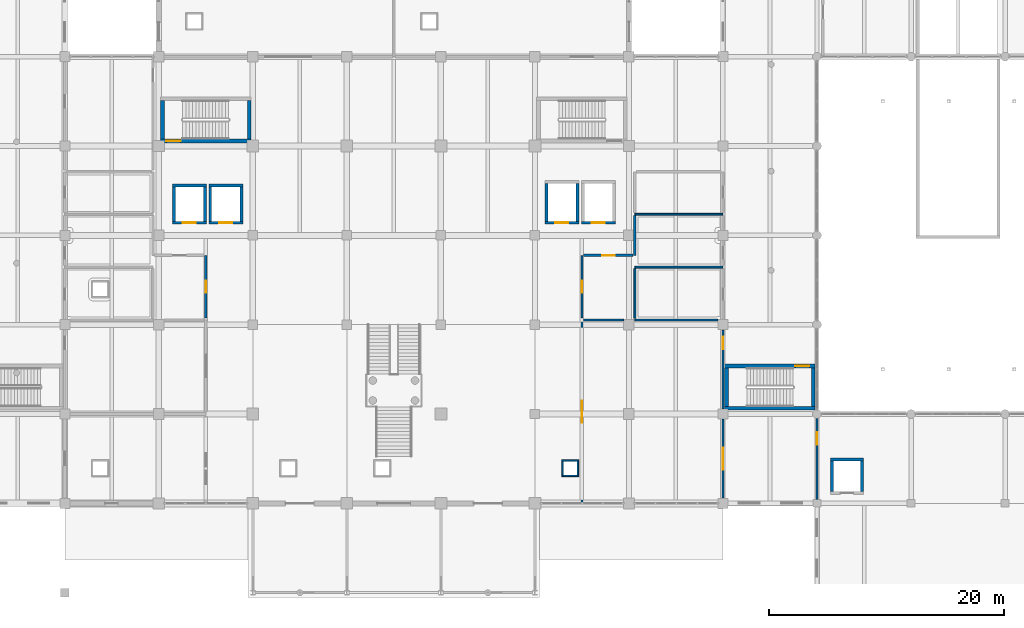
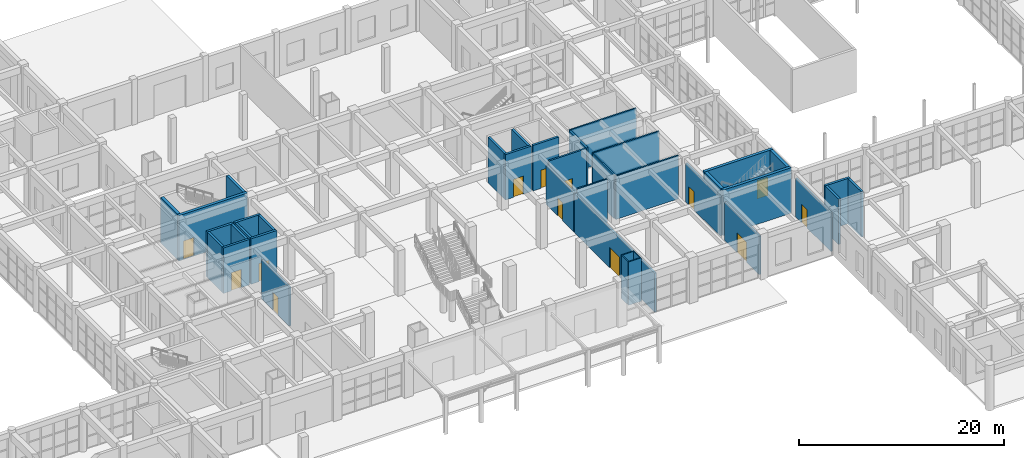
# One storey, part 73 of 95: 39 walls, 13 doors, 13 openings.
"""IFC4 building model written with IfcOpenShell, lengths in metres."""

from ifc_helpers import new_model, si_unit, direction, frame, frame_2d, origin, place, context, subcontext, project, spatial, rectangle, extrude, material, layer, layer_set, type_object, element, fill, save


model = new_model("IFC4")

# Units and contexts
model_context = context("Model", 3, precision=1e-05, world=origin(), true_north=direction((0.0, 1.0)))
body_context = subcontext(model_context, "Body", "Model", "MODEL_VIEW")
ifc_project = project(units=[si_unit("LENGTHUNIT", "METRE"), si_unit("AREAUNIT", "SQUARE_METRE"), si_unit("VOLUMEUNIT", "CUBIC_METRE"), si_unit("PLANEANGLEUNIT", "RADIAN"), si_unit("MASSUNIT", "GRAM", prefix="KILO")], contexts=[model_context])

# Site, building, storey
site_placement = place(None, origin())
site = spatial("IfcSite", under=ifc_project, at=site_placement, CompositionType="ELEMENT")
building_placement = place(site_placement, origin())
building = spatial("IfcBuilding", under=site, at=building_placement, Name="Zantavel Square City Hall", CompositionType="ELEMENT")
storey_placement = place(building_placement, origin())
storey = spatial("IfcBuildingStorey", under=building, at=storey_placement, Name="L01", CompositionType="ELEMENT", Elevation=0.0)

# Walls
ifc_material_1 = material(Name="Concrete C40/50", Category="concrete")
ifc_layer_1 = layer(ifc_material_1, 0.320068359375, Name="Concrete C40/50")
ifc_layer_set_1 = layer_set([ifc_layer_1], Name="Concrete C40/50")
wall_type_1 = type_object("IfcWallType", Name="Core Shear Wall RC 320mm C40/50", PredefinedType="SHEAR", material=ifc_layer_set_1)
wall_1_placement = place(storey_placement, frame((119.85009765625, 38.489990234375, 0.0), z_axis=(0.0, 0.0, 1.0), x_axis=(-1.0, 0.0, 0.0)))
element("IfcWall", 1, at=wall_1_placement, inside=storey, type_object=wall_type_1, Name="L01 Exit Stair 4 East Annex Core Shear Wall South", PredefinedType="SHEAR", context=body_context, shape_type="SweptSolid", body=[
    extrude(rectangle(XDim=7.7001953125, YDim=0.320068359375, at=frame_2d((3.85009765625, 0.0))), origin(), (0.0, 0.0, 1.0), 5.39990234375),
])
wall_2_placement = place(storey_placement, frame((112.31005859375, 38.64990234375, 0.0), z_axis=(0.0, 0.0, 1.0), x_axis=(0.0, 1.0, 0.0)))
element("IfcWall", 2, at=wall_2_placement, inside=storey, type_object=wall_type_1, Name="L01 Exit Stair 4 East Annex Core Shear Wall West", PredefinedType="SHEAR", context=body_context, shape_type="SweptSolid", body=[
    extrude(rectangle(XDim=3.27001953125, YDim=0.320068359375, at=frame_2d((1.635009765625, 0.0))), origin(), (0.0, 0.0, 1.0), 5.39990234375),
])

# Wall, opening, door
wall_3_placement = place(storey_placement, frame((112.14990234375, 42.080078125, 0.0), z_axis=(0.0, 0.0, 1.0), x_axis=(1.0, 0.0, 0.0)))
wall_3 = element("IfcWall", 3, at=wall_3_placement, inside=storey, type_object=wall_type_1, Name="L01 Exit Stair 4 East Annex Core Shear Wall North", PredefinedType="SHEAR", context=body_context, shape_type="SweptSolid", body=[
    extrude(rectangle(XDim=7.7001953125, YDim=0.320068359375, at=frame_2d((3.85009765625, 0.0))), origin(), (0.0, 0.0, 1.0), 5.39990234375),
])
opening_1_placement = place(wall_3_placement, frame((6.0, 0.0, 0.0)))
opening_1 = element("IfcOpeningElement", 4, at=opening_1_placement, cuts=wall_3, Name="Opening SD-017", PredefinedType="OPENING", context=body_context, shape_type="SweptSolid", body=[
    extrude(rectangle(XDim=1.199951171875, YDim=2.199951171875, at=frame_2d((0.60009765625, 1.10009765625))), frame((0.0, 0.169921875, 0.0), z_axis=(0.0, -1.0, 0.0), x_axis=(1.0, 0.0, 0.0)), (0.0, 0.0, 1.0), 0.340087890625),
])
ifc_material_2 = material(Name="Steel ASTM A500 Grade B", Category="steel")
door_type_1 = type_object("IfcDoorType", Name="Enclosed Exit Stairwell Fire Door 1200x2200 FD90S", OperationType="NOTDEFINED", PredefinedType="DOOR", material=ifc_material_2)
door_1_placement = place(opening_1_placement, origin())
door_1 = element("IfcDoor", 5, at=door_1_placement, inside=storey, type_object=door_type_1, Name="L01 Exit Stair 4 East Annex Core Fire Door", OperationType="SINGLE_SWING_LEFT", OverallHeight=2.199951171875, OverallWidth=1.199951171875, PredefinedType="DOOR", context=body_context, shape_type="SweptSolid", body=[
    extrude(rectangle(XDim=1.199951171875, YDim=2.199951171875, at=frame_2d((0.60009765625, 1.10009765625))), frame((0.0, 0.02490234375, 0.0), z_axis=(0.0, -1.0, 0.0), x_axis=(1.0, 0.0, 0.0)), (0.0, 0.0, 1.0), 0.050048828125),
])
fill(opening_1, door_1)

# Wall
wall_4_placement = place(storey_placement, frame((119.68994140625, 41.919921875, 0.0), z_axis=(0.0, 0.0, 1.0), x_axis=(0.0, -1.0, 0.0)))
element("IfcWall", 6, at=wall_4_placement, inside=storey, type_object=wall_type_1, Name="L01 Exit Stair 4 East Annex Core Shear Wall East", PredefinedType="SHEAR", context=body_context, shape_type="SweptSolid", body=[
    extrude(rectangle(XDim=3.27001953125, YDim=0.320068359375, at=frame_2d((1.635009765625, 0.0))), origin(), (0.0, 0.0, 1.0), 5.39990234375),
])

# Wall, opening, door
wall_5_placement = place(storey_placement, frame((71.85009765625, 61.239990234375, 0.0), z_axis=(0.0, 0.0, 1.0), x_axis=(-1.0, 0.0, 0.0)))
wall_5 = element("IfcWall", 7, at=wall_5_placement, inside=storey, type_object=wall_type_1, Name="L01 Exit Stair 5 Central West Core Shear Wall South", PredefinedType="SHEAR", context=body_context, shape_type="SweptSolid", body=[
    extrude(rectangle(XDim=7.7001953125, YDim=0.320068359375, at=frame_2d((3.85009765625, 0.0))), origin(), (0.0, 0.0, 1.0), 5.39990234375),
])
opening_2_placement = place(wall_5_placement, frame((6.0, 0.0, 0.0)))
opening_2 = element("IfcOpeningElement", 8, at=opening_2_placement, cuts=wall_5, Name="Opening SD-020", PredefinedType="OPENING", context=body_context, shape_type="SweptSolid", body=[
    extrude(rectangle(XDim=1.199951171875, YDim=2.199951171875, at=frame_2d((0.60009765625, 1.10009765625))), frame((0.0, 0.169921875, 0.0), z_axis=(0.0, -1.0, 0.0), x_axis=(1.0, 0.0, 0.0)), (0.0, 0.0, 1.0), 0.340087890625),
])
door_2_placement = place(opening_2_placement, origin())
door_2 = element("IfcDoor", 9, at=door_2_placement, inside=storey, type_object=door_type_1, Name="L01 Exit Stair 5 Central West Core Fire Door", OperationType="SINGLE_SWING_RIGHT", OverallHeight=2.199951171875, OverallWidth=1.199951171875, PredefinedType="DOOR", context=body_context, shape_type="SweptSolid", body=[
    extrude(rectangle(XDim=1.199951171875, YDim=2.199951171875, at=frame_2d((0.60009765625, 1.10009765625))), frame((0.0, 0.02490234375, 0.0), z_axis=(0.0, -1.0, 0.0), x_axis=(1.0, 0.0, 0.0)), (0.0, 0.0, 1.0), 0.050048828125),
])
fill(opening_2, door_2)

# Walls
for number, where, z_axis, x_axis, name in (
    (10, (64.31005859375, 61.39990234375, 0.0), (0.0, 0.0, 1.0), (0.0, 1.0, 0.0), "L01 Exit Stair 5 Central West Core Shear Wall West"),
    (11, (71.68994140625, 64.669921875, 0.0), (0.0, 0.0, 1.0), (0.0, -1.0, 0.0), "L01 Exit Stair 5 Central West Core Shear Wall East"),
):
    element("IfcWall", number, at=place(storey_placement, frame(where, z_axis=z_axis, x_axis=x_axis)), inside=storey, type_object=wall_type_1, Name=name, PredefinedType="SHEAR", context=body_context, shape_type="SweptSolid", body=[
        extrude(rectangle(XDim=3.27001953125, YDim=0.320068359375, at=frame_2d((1.635009765625, 0.0))), origin(), (0.0, 0.0, 1.0), 5.39990234375),
    ])
ifc_material_3 = material(Name="Gypsum acoustic stud assembly", Category="masonry")
ifc_layer_2 = layer(ifc_material_3, 0.14990234375, Name="Gypsum acoustic stud assembly")
ifc_layer_set_2 = layer_set([ifc_layer_2], Name="Gypsum acoustic stud assembly")
wall_type_2 = type_object("IfcWallType", Name="Department Office Partition 150mm", PredefinedType="PARTITIONING", material=ifc_layer_set_2)
wall_6_placement = place(storey_placement, frame((100.14990234375, 46.0, 0.0), z_axis=(0.0, 0.0, 1.0), x_axis=(1.0, 0.0, 0.0)))
element("IfcWall", 12, at=wall_6_placement, inside=storey, type_object=wall_type_2, Name="L01 Interior Wall IW-L01-0129", PredefinedType="PARTITIONING", context=body_context, shape_type="SweptSolid", body=[
    extrude(rectangle(XDim=3.39013671875, YDim=0.14990234375, at=frame_2d((1.695068359375, 0.0))), origin(), (0.0, 0.0, 1.0), 5.159912109375),
])
ifc_material_4 = material(Name="Cantera volcanic tuff stone", Category="masonry")
ifc_layer_3 = layer(ifc_material_4, 0.199951171875, Name="Cantera volcanic tuff stone")
ifc_layer_set_3 = layer_set([ifc_layer_3], Name="Cantera volcanic tuff stone")
wall_type_3 = type_object("IfcWallType", Name="Exit Corridor Rated Wall 200mm", PredefinedType="STANDARD", material=ifc_layer_set_3)
wall_7_placement = place(storey_placement, frame((104.5, 51.5, 0.0), z_axis=(0.0, 0.0, 1.0), x_axis=(0.0, 1.0, 0.0)))
element("IfcWall", 13, at=wall_7_placement, inside=storey, type_object=wall_type_3, Name="L01 Interior Wall IW-L01-0066", PredefinedType="STANDARD", context=body_context, shape_type="SweptSolid", body=[
    extrude(rectangle(XDim=3.3701171875, YDim=0.199951171875, at=frame_2d((1.68505859375, 0.0))), origin(), (0.0, 0.0, 1.0), 5.159912109375),
])

# Wall, opening, door
wall_8_placement = place(storey_placement, frame((112.0, 45.1650390625, 0.0), z_axis=(0.0, 0.0, 1.0), x_axis=(0.0, -1.0, 0.0)))
wall_8 = element("IfcWall", 14, at=wall_8_placement, inside=storey, type_object=wall_type_3, Name="L01 Interior Wall IW-L01-0126", PredefinedType="STANDARD", context=body_context, shape_type="SweptSolid", body=[
    extrude(rectangle(XDim=6.72998046875, YDim=0.199951171875, at=frame_2d((3.364990234375, 0.0))), origin(), (0.0, 0.0, 1.0), 4.580078125),
])
opening_3_placement = place(wall_8_placement, frame((0.590087890625, 0.0, 0.0)))
opening_3 = element("IfcOpeningElement", 15, at=opening_3_placement, cuts=wall_8, Name="Opening D-0049", PredefinedType="OPENING", context=body_context, shape_type="SweptSolid", body=[
    extrude(rectangle(XDim=1.050048828125, YDim=2.14990234375, at=frame_2d((0.52490234375, 1.074951171875))), frame((0.0, 0.10986328125, 0.0), z_axis=(0.0, -1.0, 0.0), x_axis=(1.0, 0.0, 0.0)), (0.0, 0.0, 1.0), 0.219970703125),
])
ifc_material_5 = material(Name="Solid oak hardwood", Category="wood")
door_type_2 = type_object("IfcDoorType", Name="Corridor Office Oak Fire Door 1050x2150 FD60S", OperationType="NOTDEFINED", PredefinedType="DOOR", material=ifc_material_5)
door_3_placement = place(opening_3_placement, origin())
door_3 = element("IfcDoor", 16, at=door_3_placement, inside=storey, type_object=door_type_2, Name="L01 Protocol Visitors Reception Hall Door", OperationType="SINGLE_SWING_LEFT", OverallHeight=2.14990234375, OverallWidth=1.050048828125, PredefinedType="DOOR", context=body_context, shape_type="SweptSolid", body=[
    extrude(rectangle(XDim=1.050048828125, YDim=2.14990234375, at=frame_2d((0.52490234375, 1.074951171875))), frame((0.0, 0.02490234375, 0.0), z_axis=(0.0, -1.0, 0.0), x_axis=(1.0, 0.0, 0.0)), (0.0, 0.0, 1.0), 0.050048828125),
])
fill(opening_3, door_3)

wall_9_placement = place(storey_placement, frame((112.0, 37.56494140625, 0.0), z_axis=(0.0, 0.0, 1.0), x_axis=(0.0, -1.0, 0.0)))
wall_9 = element("IfcWall", 17, at=wall_9_placement, inside=storey, type_object=wall_type_3, Name="L01 Interior Wall IW-L01-0127", PredefinedType="STANDARD", context=body_context, shape_type="SweptSolid", body=[
    extrude(rectangle(XDim=6.72998046875, YDim=0.199951171875, at=frame_2d((3.364990234375, 0.0))), origin(), (0.0, 0.0, 1.0), 4.580078125),
])
opening_4_placement = place(wall_9_placement, frame((2.4150390625, 0.0, 0.0)))
opening_4 = element("IfcOpeningElement", 18, at=opening_4_placement, cuts=wall_9, Name="Opening D-0070", PredefinedType="OPENING", context=body_context, shape_type="SweptSolid", body=[
    extrude(rectangle(XDim=1.89990234375, YDim=2.39990234375, at=frame_2d((0.949951171875, 1.199951171875))), frame((0.0, 0.10986328125, 0.0), z_axis=(0.0, -1.0, 0.0), x_axis=(1.0, 0.0, 0.0)), (0.0, 0.0, 1.0), 0.219970703125),
])
door_type_3 = type_object("IfcDoorType", Name="Civic Hall Oak Fire Double Door 1900x2400 FD60S", OperationType="NOTDEFINED", PredefinedType="DOOR", material=ifc_material_5)
door_4_placement = place(opening_4_placement, origin())
door_4 = element("IfcDoor", 19, at=door_4_placement, inside=storey, type_object=door_type_3, Name="L01 Protocol Visitors Reception Hall Door", OperationType="DOUBLE_DOOR_SINGLE_SWING", OverallHeight=2.39990234375, OverallWidth=1.89990234375, PredefinedType="DOOR", context=body_context, shape_type="SweptSolid", body=[
    extrude(rectangle(XDim=1.89990234375, YDim=2.39990234375, at=frame_2d((0.949951171875, 1.199951171875))), frame((0.0, 0.02490234375, 0.0), z_axis=(0.0, -1.0, 0.0), x_axis=(1.0, 0.0, 0.0)), (0.0, 0.0, 1.0), 0.050048828125),
])
fill(opening_4, door_4)

wall_10_placement = place(storey_placement, frame((100.0, 30.39990234375, 0.0), z_axis=(0.0, 0.0, 1.0), x_axis=(0.0, 1.0, 0.0)))
wall_10 = element("IfcWall", 20, at=wall_10_placement, inside=storey, type_object=wall_type_3, Name="L01 Interior Wall IW-L01-0128", PredefinedType="STANDARD", context=body_context, shape_type="SweptSolid", body=[
    extrude(rectangle(XDim=15.60009765625, YDim=0.199951171875, at=frame_2d((7.800048828125, 0.0))), origin(), (0.0, 0.0, 1.0), 4.659912109375),
])
opening_5_placement = place(wall_10_placement, frame((6.85009765625, 0.0, 0.0)))
opening_5 = element("IfcOpeningElement", 21, at=opening_5_placement, cuts=wall_10, Name="Opening D-0050", PredefinedType="OPENING", context=body_context, shape_type="SweptSolid", body=[
    extrude(rectangle(XDim=1.89990234375, YDim=2.39990234375, at=frame_2d((0.949951171875, 1.199951171875))), frame((0.0, 0.10986328125, 0.0), z_axis=(0.0, -1.0, 0.0), x_axis=(1.0, 0.0, 0.0)), (0.0, 0.0, 1.0), 0.219970703125),
])
door_5_placement = place(opening_5_placement, origin())
door_5 = element("IfcDoor", 22, at=door_5_placement, inside=storey, type_object=door_type_3, Name="L01 Protocol Visitors Reception Hall Door", OperationType="DOUBLE_DOOR_SINGLE_SWING", OverallHeight=2.39990234375, OverallWidth=1.89990234375, PredefinedType="DOOR", context=body_context, shape_type="SweptSolid", body=[
    extrude(rectangle(XDim=1.89990234375, YDim=2.39990234375, at=frame_2d((0.949951171875, 1.199951171875))), frame((0.0, 0.02490234375, 0.0), z_axis=(0.0, -1.0, 0.0), x_axis=(1.0, 0.0, 0.0)), (0.0, 0.0, 1.0), 0.050048828125),
])
fill(opening_5, door_5)

wall_11_placement = place(storey_placement, frame((120.0, 30.735107421875, 0.0), z_axis=(0.0, 0.0, 1.0), x_axis=(0.0, 1.0, 0.0)))
wall_11 = element("IfcWall", 23, at=wall_11_placement, inside=storey, type_object=wall_type_3, Name="L01 Interior Wall IW-L01-0132", PredefinedType="STANDARD", context=body_context, shape_type="SweptSolid", body=[
    extrude(rectangle(XDim=6.8798828125, YDim=0.199951171875, at=frame_2d((3.43994140625, 0.0))), origin(), (0.0, 0.0, 1.0), 4.580078125),
])
opening_6_placement = place(wall_11_placement, frame((4.6650390625, 0.0, 0.0)))
opening_6 = element("IfcOpeningElement", 24, at=opening_6_placement, cuts=wall_11, Name="Opening D-0051", PredefinedType="OPENING", context=body_context, shape_type="SweptSolid", body=[
    extrude(rectangle(XDim=1.050048828125, YDim=2.14990234375, at=frame_2d((0.52490234375, 1.074951171875))), frame((0.0, 0.10986328125, 0.0), z_axis=(0.0, -1.0, 0.0), x_axis=(1.0, 0.0, 0.0)), (0.0, 0.0, 1.0), 0.219970703125),
])
door_6_placement = place(opening_6_placement, origin())
door_6 = element("IfcDoor", 25, at=door_6_placement, inside=storey, type_object=door_type_2, Name="L01 Citizen Service Hall Door", OperationType="SINGLE_SWING_LEFT", OverallHeight=2.14990234375, OverallWidth=1.050048828125, PredefinedType="DOOR", context=body_context, shape_type="SweptSolid", body=[
    extrude(rectangle(XDim=1.050048828125, YDim=2.14990234375, at=frame_2d((0.52490234375, 1.074951171875))), frame((0.0, 0.02490234375, 0.0), z_axis=(0.0, -1.0, 0.0), x_axis=(1.0, 0.0, 0.0)), (0.0, 0.0, 1.0), 0.050048828125),
])
fill(opening_6, door_6)

wall_12_placement = place(storey_placement, frame((68.0, 46.14990234375, 0.0), z_axis=(0.0, 0.0, 1.0), x_axis=(0.0, 1.0, 0.0)))
wall_12 = element("IfcWall", 26, at=wall_12_placement, inside=storey, type_object=wall_type_3, Name="L01 Interior Wall IW-L01-0151", PredefinedType="STANDARD", context=body_context, shape_type="SweptSolid", body=[
    extrude(rectangle(XDim=5.35009765625, YDim=0.199951171875, at=frame_2d((2.675048828125, 0.0))), origin(), (0.0, 0.0, 1.0), 4.659912109375),
])
opening_7_placement = place(wall_12_placement, frame((2.14990234375, 0.0, 0.0)))
opening_7 = element("IfcOpeningElement", 27, at=opening_7_placement, cuts=wall_12, Name="Opening D-0058", PredefinedType="OPENING", context=body_context, shape_type="SweptSolid", body=[
    extrude(rectangle(XDim=1.050048828125, YDim=2.14990234375, at=frame_2d((0.52490234375, 1.074951171875))), frame((0.0, 0.10986328125, 0.0), z_axis=(0.0, -1.0, 0.0), x_axis=(1.0, 0.0, 0.0)), (0.0, 0.0, 1.0), 0.219970703125),
])
door_7_placement = place(opening_7_placement, origin())
door_7 = element("IfcDoor", 28, at=door_7_placement, inside=storey, type_object=door_type_2, Name="L01 L01 Municipal Support Office 7 Door", OperationType="SINGLE_SWING_RIGHT", OverallHeight=2.14990234375, OverallWidth=1.050048828125, PredefinedType="DOOR", context=body_context, shape_type="SweptSolid", body=[
    extrude(rectangle(XDim=1.050048828125, YDim=2.14990234375, at=frame_2d((0.52490234375, 1.074951171875))), frame((0.0, 0.02490234375, 0.0), z_axis=(0.0, -1.0, 0.0), x_axis=(1.0, 0.0, 0.0)), (0.0, 0.0, 1.0), 0.050048828125),
])
fill(opening_7, door_7)

wall_13_placement = place(storey_placement, frame((100.0, 51.5, 0.0), z_axis=(0.0, 0.0, 1.0), x_axis=(0.0, -1.0, 0.0)))
wall_13 = element("IfcWall", 29, at=wall_13_placement, inside=storey, type_object=wall_type_3, Name="L01 Interior Wall IW-L01-0152", PredefinedType="STANDARD", context=body_context, shape_type="SweptSolid", body=[
    extrude(rectangle(XDim=5.35009765625, YDim=0.199951171875, at=frame_2d((2.675048828125, 0.0))), origin(), (0.0, 0.0, 1.0), 4.659912109375),
])
opening_8_placement = place(wall_13_placement, frame((2.14990234375, 0.0, 0.0)))
opening_8 = element("IfcOpeningElement", 30, at=opening_8_placement, cuts=wall_13, Name="Opening D-0059", PredefinedType="OPENING", context=body_context, shape_type="SweptSolid", body=[
    extrude(rectangle(XDim=1.050048828125, YDim=2.14990234375, at=frame_2d((0.52490234375, 1.074951171875))), frame((0.0, 0.10986328125, 0.0), z_axis=(0.0, -1.0, 0.0), x_axis=(1.0, 0.0, 0.0)), (0.0, 0.0, 1.0), 0.219970703125),
])
door_8_placement = place(opening_8_placement, origin())
door_8 = element("IfcDoor", 31, at=door_8_placement, inside=storey, type_object=door_type_2, Name="L01 L01 Municipal Support Office 8 Door", OperationType="SINGLE_SWING_LEFT", OverallHeight=2.14990234375, OverallWidth=1.050048828125, PredefinedType="DOOR", context=body_context, shape_type="SweptSolid", body=[
    extrude(rectangle(XDim=1.050048828125, YDim=2.14990234375, at=frame_2d((0.52490234375, 1.074951171875))), frame((0.0, 0.02490234375, 0.0), z_axis=(0.0, -1.0, 0.0), x_axis=(1.0, 0.0, 0.0)), (0.0, 0.0, 1.0), 0.050048828125),
])
fill(opening_8, door_8)

wall_14_placement = place(storey_placement, frame((104.35009765625, 51.5, 0.0), z_axis=(0.0, 0.0, 1.0), x_axis=(-1.0, 0.0, 0.0)))
wall_14 = element("IfcWall", 32, at=wall_14_placement, inside=storey, type_object=wall_type_3, Name="L01 Interior Wall IW-L01-0155", PredefinedType="STANDARD", context=body_context, shape_type="SweptSolid", body=[
    extrude(rectangle(XDim=4.2001953125, YDim=0.199951171875, at=frame_2d((2.10009765625, 0.0))), origin(), (0.0, 0.0, 1.0), 5.159912109375),
])
opening_9_placement = place(wall_14_placement, frame((1.574951171875, 0.0, 0.0)))
opening_9 = element("IfcOpeningElement", 33, at=opening_9_placement, cuts=wall_14, Name="Opening D-0062", PredefinedType="OPENING", context=body_context, shape_type="SweptSolid", body=[
    extrude(rectangle(XDim=1.050048828125, YDim=2.14990234375, at=frame_2d((0.52490234375, 1.074951171875))), frame((0.0, 0.10986328125, 0.0), z_axis=(0.0, -1.0, 0.0), x_axis=(1.0, 0.0, 0.0)), (0.0, 0.0, 1.0), 0.219970703125),
])
door_9_placement = place(opening_9_placement, origin())
door_9 = element("IfcDoor", 34, at=door_9_placement, inside=storey, type_object=door_type_2, Name="L01 L01 Municipal Support Office 8 Door", OperationType="SINGLE_SWING_RIGHT", OverallHeight=2.14990234375, OverallWidth=1.050048828125, PredefinedType="DOOR", context=body_context, shape_type="SweptSolid", body=[
    extrude(rectangle(XDim=1.050048828125, YDim=2.14990234375, at=frame_2d((0.52490234375, 1.074951171875))), frame((0.0, 0.02490234375, 0.0), z_axis=(0.0, -1.0, 0.0), x_axis=(1.0, 0.0, 0.0)), (0.0, 0.0, 1.0), 0.050048828125),
])
fill(opening_9, door_9)

ifc_layer_4 = layer(ifc_material_1, 0.25, Name="Concrete C40/50")
ifc_layer_set_4 = layer_set([ifc_layer_4], Name="Concrete C40/50")
wall_type_4 = type_object("IfcWallType", Name="Lift Shaft Wall RC 250mm C40/50", PredefinedType="SHEAR", material=ifc_layer_set_4)
wall_15_placement = place(storey_placement, frame((68.050048828125, 54.27490234375, 0.0), z_axis=(0.0, 0.0, 1.0), x_axis=(-1.0, 0.0, 0.0)))
wall_15 = element("IfcWall", 35, at=wall_15_placement, inside=storey, type_object=wall_type_4, Name="L01 Lift LF01 Shaft Wall South", PredefinedType="SHEAR", context=body_context, shape_type="SweptSolid", body=[
    extrude(rectangle(XDim=2.900146484375, YDim=0.25, at=frame_2d((1.4501953125, 0.0))), origin(), (0.0, 0.0, 1.0), 5.39990234375),
])
opening_10_placement = place(wall_15_placement, frame((0.89990234375, 0.0, 0.0)))
opening_10 = element("IfcOpeningElement", 36, at=opening_10_placement, cuts=wall_15, Name="Opening LD-LF01-L01", PredefinedType="OPENING", context=body_context, shape_type="SweptSolid", body=[
    extrude(rectangle(XDim=1.10009765625, YDim=2.14990234375, at=frame_2d((0.550048828125, 1.074951171875))), frame((0.0, 0.135009765625, 0.0), z_axis=(0.0, -1.0, 0.0), x_axis=(1.0, 0.0, 0.0)), (0.0, 0.0, 1.0), 0.27001953125),
])
ifc_material_6 = material(Name="Stainless steel 316", Category="steel")
door_type_4 = type_object("IfcDoorType", Name="Lift Landing Sliding Door 1100x2150 FD90S", OperationType="NOTDEFINED", PredefinedType="DOOR", material=ifc_material_6)
door_10_placement = place(opening_10_placement, origin())
door_10 = element("IfcDoor", 37, at=door_10_placement, inside=storey, type_object=door_type_4, Name="L01 Lift LF01 Sliding Landing Door", OperationType="DOUBLE_DOOR_SLIDING", OverallHeight=2.14990234375, OverallWidth=1.10009765625, PredefinedType="DOOR", context=body_context, shape_type="SweptSolid", body=[
    extrude(rectangle(XDim=1.10009765625, YDim=2.14990234375, at=frame_2d((0.550048828125, 1.074951171875))), frame((0.0, 0.02490234375, 0.0), z_axis=(0.0, -1.0, 0.0), x_axis=(1.0, 0.0, 0.0)), (0.0, 0.0, 1.0), 0.050048828125),
])
fill(opening_10, door_10)

# Walls
for number, where, z_axis, x_axis, name in (
    (38, (65.27490234375, 54.39990234375, 0.0), (0.0, 0.0, 1.0), (0.0, 1.0, 0.0), "L01 Lift LF01 Shaft Wall West"),
    (39, (65.14990234375, 57.425048828125, 0.0), (0.0, 0.0, 1.0), (1.0, 0.0, 0.0), "L01 Lift LF01 Shaft Wall North"),
    (40, (67.925048828125, 57.300048828125, 0.0), (0.0, 0.0, 1.0), (0.0, -1.0, 0.0), "L01 Lift LF01 Shaft Wall East"),
):
    element("IfcWall", number, at=place(storey_placement, frame(where, z_axis=z_axis, x_axis=x_axis)), inside=storey, type_object=wall_type_4, Name=name, PredefinedType="SHEAR", context=body_context, shape_type="SweptSolid", body=[
        extrude(rectangle(XDim=2.900146484375, YDim=0.25, at=frame_2d((1.4501953125, 0.0))), origin(), (0.0, 0.0, 1.0), 5.39990234375),
    ])

# Wall, opening, door
wall_16_placement = place(storey_placement, frame((71.14990234375, 54.27490234375, 0.0), z_axis=(0.0, 0.0, 1.0), x_axis=(-1.0, 0.0, 0.0)))
wall_16 = element("IfcWall", 41, at=wall_16_placement, inside=storey, type_object=wall_type_4, Name="L01 Lift LF02 Shaft Wall South", PredefinedType="SHEAR", context=body_context, shape_type="SweptSolid", body=[
    extrude(rectangle(XDim=2.89990234375, YDim=0.25, at=frame_2d((1.449951171875, 0.0))), origin(), (0.0, 0.0, 1.0), 5.39990234375),
])
opening_11_placement = place(wall_16_placement, frame((0.89990234375, 0.0, 0.0)))
opening_11 = element("IfcOpeningElement", 42, at=opening_11_placement, cuts=wall_16, Name="Opening LD-LF02-L01", PredefinedType="OPENING", context=body_context, shape_type="SweptSolid", body=[
    extrude(rectangle(XDim=1.10009765625, YDim=2.14990234375, at=frame_2d((0.550048828125, 1.074951171875))), frame((0.0, 0.135009765625, 0.0), z_axis=(0.0, -1.0, 0.0), x_axis=(1.0, 0.0, 0.0)), (0.0, 0.0, 1.0), 0.27001953125),
])
door_11_placement = place(opening_11_placement, origin())
door_11 = element("IfcDoor", 43, at=door_11_placement, inside=storey, type_object=door_type_4, Name="L01 Lift LF02 Sliding Landing Door", OperationType="DOUBLE_DOOR_SLIDING", OverallHeight=2.14990234375, OverallWidth=1.10009765625, PredefinedType="DOOR", context=body_context, shape_type="SweptSolid", body=[
    extrude(rectangle(XDim=1.10009765625, YDim=2.14990234375, at=frame_2d((0.550048828125, 1.074951171875))), frame((0.0, 0.02490234375, 0.0), z_axis=(0.0, -1.0, 0.0), x_axis=(1.0, 0.0, 0.0)), (0.0, 0.0, 1.0), 0.050048828125),
])
fill(opening_11, door_11)

# Walls
wall_17_placement = place(storey_placement, frame((68.375, 54.39990234375, 0.0), z_axis=(0.0, 0.0, 1.0), x_axis=(0.0, 1.0, 0.0)))
element("IfcWall", 44, at=wall_17_placement, inside=storey, type_object=wall_type_4, Name="L01 Lift LF02 Shaft Wall West", PredefinedType="SHEAR", context=body_context, shape_type="SweptSolid", body=[
    extrude(rectangle(XDim=2.900146484375, YDim=0.25, at=frame_2d((1.4501953125, 0.0))), origin(), (0.0, 0.0, 1.0), 5.39990234375),
])
wall_18_placement = place(storey_placement, frame((68.25, 57.425048828125, 0.0), z_axis=(0.0, 0.0, 1.0), x_axis=(1.0, 0.0, 0.0)))
element("IfcWall", 45, at=wall_18_placement, inside=storey, type_object=wall_type_4, Name="L01 Lift LF02 Shaft Wall North", PredefinedType="SHEAR", context=body_context, shape_type="SweptSolid", body=[
    extrude(rectangle(XDim=2.89990234375, YDim=0.25, at=frame_2d((1.449951171875, 0.0))), origin(), (0.0, 0.0, 1.0), 5.39990234375),
])
wall_19_placement = place(storey_placement, frame((71.02490234375, 57.300048828125, 0.0), z_axis=(0.0, 0.0, 1.0), x_axis=(0.0, -1.0, 0.0)))
element("IfcWall", 46, at=wall_19_placement, inside=storey, type_object=wall_type_4, Name="L01 Lift LF02 Shaft Wall East", PredefinedType="SHEAR", context=body_context, shape_type="SweptSolid", body=[
    extrude(rectangle(XDim=2.900146484375, YDim=0.25, at=frame_2d((1.4501953125, 0.0))), origin(), (0.0, 0.0, 1.0), 5.39990234375),
])

# Wall, opening, door
wall_20_placement = place(storey_placement, frame((99.75, 54.27490234375, 0.0), z_axis=(0.0, 0.0, 1.0), x_axis=(-1.0, 0.0, 0.0)))
wall_20 = element("IfcWall", 47, at=wall_20_placement, inside=storey, type_object=wall_type_4, Name="L01 Lift LF03 Shaft Wall South", PredefinedType="SHEAR", context=body_context, shape_type="SweptSolid", body=[
    extrude(rectangle(XDim=2.89990234375, YDim=0.25, at=frame_2d((1.449951171875, 0.0))), origin(), (0.0, 0.0, 1.0), 5.39990234375),
])
opening_12_placement = place(wall_20_placement, frame((0.89990234375, 0.0, 0.0)))
opening_12 = element("IfcOpeningElement", 48, at=opening_12_placement, cuts=wall_20, Name="Opening LD-LF03-L01", PredefinedType="OPENING", context=body_context, shape_type="SweptSolid", body=[
    extrude(rectangle(XDim=1.10009765625, YDim=2.14990234375, at=frame_2d((0.550048828125, 1.074951171875))), frame((0.0, 0.135009765625, 0.0), z_axis=(0.0, -1.0, 0.0), x_axis=(1.0, 0.0, 0.0)), (0.0, 0.0, 1.0), 0.27001953125),
])
door_12_placement = place(opening_12_placement, origin())
door_12 = element("IfcDoor", 49, at=door_12_placement, inside=storey, type_object=door_type_4, Name="L01 Lift LF03 Sliding Landing Door", OperationType="DOUBLE_DOOR_SLIDING", OverallHeight=2.14990234375, OverallWidth=1.10009765625, PredefinedType="DOOR", context=body_context, shape_type="SweptSolid", body=[
    extrude(rectangle(XDim=1.10009765625, YDim=2.14990234375, at=frame_2d((0.550048828125, 1.074951171875))), frame((0.0, 0.02490234375, 0.0), z_axis=(0.0, -1.0, 0.0), x_axis=(1.0, 0.0, 0.0)), (0.0, 0.0, 1.0), 0.050048828125),
])
fill(opening_12, door_12)

# Walls
for number, where, z_axis, x_axis, name in (
    (50, (96.97509765625, 54.39990234375, 0.0), (0.0, 0.0, 1.0), (0.0, 1.0, 0.0), "L01 Lift LF03 Shaft Wall West"),
    (51, (99.625, 57.60009765625, 0.0), (0.0, 0.0, 1.0), (0.0, -1.0, 0.0), "L01 Lift LF03 Shaft Wall East"),
):
    element("IfcWall", number, at=place(storey_placement, frame(where, z_axis=z_axis, x_axis=x_axis)), inside=storey, type_object=wall_type_4, Name=name, PredefinedType="SHEAR", context=body_context, shape_type="SweptSolid", body=[
        extrude(rectangle(XDim=3.2001953125, YDim=0.25, at=frame_2d((1.60009765625, 0.0))), origin(), (0.0, 0.0, 1.0), 5.39990234375),
    ])

# Wall, opening, door
wall_21_placement = place(storey_placement, frame((102.85009765625, 54.27490234375, 0.0), z_axis=(0.0, 0.0, 1.0), x_axis=(-1.0, 0.0, 0.0)))
wall_21 = element("IfcWall", 52, at=wall_21_placement, inside=storey, type_object=wall_type_4, Name="L01 Lift LF04 Shaft Wall South", PredefinedType="SHEAR", context=body_context, shape_type="SweptSolid", body=[
    extrude(rectangle(XDim=2.900146484375, YDim=0.25, at=frame_2d((1.4501953125, 0.0))), origin(), (0.0, 0.0, 1.0), 5.39990234375),
])
opening_13_placement = place(wall_21_placement, frame((0.89990234375, 0.0, 0.0)))
opening_13 = element("IfcOpeningElement", 53, at=opening_13_placement, cuts=wall_21, Name="Opening LD-LF04-L01", PredefinedType="OPENING", context=body_context, shape_type="SweptSolid", body=[
    extrude(rectangle(XDim=1.10009765625, YDim=2.14990234375, at=frame_2d((0.550048828125, 1.074951171875))), frame((0.0, 0.135009765625, 0.0), z_axis=(0.0, -1.0, 0.0), x_axis=(1.0, 0.0, 0.0)), (0.0, 0.0, 1.0), 0.27001953125),
])
door_13_placement = place(opening_13_placement, origin())
door_13 = element("IfcDoor", 54, at=door_13_placement, inside=storey, type_object=door_type_4, Name="L01 Lift LF04 Sliding Landing Door", OperationType="DOUBLE_DOOR_SLIDING", OverallHeight=2.14990234375, OverallWidth=1.10009765625, PredefinedType="DOOR", context=body_context, shape_type="SweptSolid", body=[
    extrude(rectangle(XDim=1.10009765625, YDim=2.14990234375, at=frame_2d((0.550048828125, 1.074951171875))), frame((0.0, 0.02490234375, 0.0), z_axis=(0.0, -1.0, 0.0), x_axis=(1.0, 0.0, 0.0)), (0.0, 0.0, 1.0), 0.050048828125),
])
fill(opening_13, door_13)

# Walls
wall_22_placement = place(storey_placement, frame((121.27490234375, 31.39990234375, 0.0), z_axis=(0.0, 0.0, 1.0), x_axis=(0.0, 1.0, 0.0)))
element("IfcWall", 55, at=wall_22_placement, inside=storey, type_object=wall_type_4, Name="L01 Lift LF07 Shaft Wall West", PredefinedType="SHEAR", context=body_context, shape_type="SweptSolid", body=[
    extrude(rectangle(XDim=2.60009765625, YDim=0.25, at=frame_2d((1.300048828125, 0.0))), origin(), (0.0, 0.0, 1.0), 5.39990234375),
])
wall_23_placement = place(storey_placement, frame((121.14990234375, 34.125, 0.0), z_axis=(0.0, 0.0, 1.0), x_axis=(1.0, 0.0, 0.0)))
element("IfcWall", 56, at=wall_23_placement, inside=storey, type_object=wall_type_4, Name="L01 Lift LF07 Shaft Wall North", PredefinedType="SHEAR", context=body_context, shape_type="SweptSolid", body=[
    extrude(rectangle(XDim=2.800048828125, YDim=0.25, at=frame_2d((1.39990234375, 0.0))), origin(), (0.0, 0.0, 1.0), 5.39990234375),
])
wall_24_placement = place(storey_placement, frame((123.824951171875, 34.0, 0.0), z_axis=(0.0, 0.0, 1.0), x_axis=(0.0, -1.0, 0.0)))
element("IfcWall", 57, at=wall_24_placement, inside=storey, type_object=wall_type_4, Name="L01 Lift LF07 Shaft Wall East", PredefinedType="SHEAR", context=body_context, shape_type="SweptSolid", body=[
    extrude(rectangle(XDim=2.60009765625, YDim=0.25, at=frame_2d((1.300048828125, 0.0))), origin(), (0.0, 0.0, 1.0), 5.39990234375),
])
ifc_layer_5 = layer(ifc_material_4, 0.159912109375, Name="Cantera volcanic tuff stone")
ifc_layer_set_5 = layer_set([ifc_layer_5], Name="Cantera volcanic tuff stone")
wall_type_5 = type_object("IfcWallType", Name="Restroom Wet-Wall Partition 160mm", PredefinedType="PARTITIONING", material=ifc_layer_set_5)
wall_25_placement = place(storey_placement, frame((104.5, 50.5, 0.0), z_axis=(0.0, 0.0, 1.0), x_axis=(1.0, 0.0, 0.0)))
element("IfcWall", 58, at=wall_25_placement, inside=storey, type_object=wall_type_5, Name="L01 Interior Wall IW-L01-0059", PredefinedType="PARTITIONING", context=body_context, shape_type="SweptSolid", body=[
    extrude(rectangle(XDim=7.5, YDim=0.159912109375, at=frame_2d((3.75, 0.0))), origin(), (0.0, 0.0, 1.0), 5.159912109375),
])
wall_26_placement = place(storey_placement, frame((111.56494140625, 46.0, 0.0), z_axis=(0.0, 0.0, 1.0), x_axis=(-1.0, 0.0, 0.0)))
element("IfcWall", 59, at=wall_26_placement, inside=storey, type_object=wall_type_5, Name="L01 Interior Wall IW-L01-0060", PredefinedType="PARTITIONING", context=body_context, shape_type="SweptSolid", body=[
    extrude(rectangle(XDim=7.06494140625, YDim=0.159912109375, at=frame_2d((3.532470703125, 0.0))), origin(), (0.0, 0.0, 1.0), 5.159912109375),
])
wall_27_placement = place(storey_placement, frame((104.5, 46.1298828125, 0.0), z_axis=(0.0, 0.0, 1.0), x_axis=(0.0, 1.0, 0.0)))
element("IfcWall", 60, at=wall_27_placement, inside=storey, type_object=wall_type_5, Name="L01 Interior Wall IW-L01-0062", PredefinedType="PARTITIONING", context=body_context, shape_type="SweptSolid", body=[
    extrude(rectangle(XDim=4.240234375, YDim=0.159912109375, at=frame_2d((2.1201171875, 0.0))), origin(), (0.0, 0.0, 1.0), 5.159912109375),
])
wall_28_placement = place(storey_placement, frame((104.5, 55.0, 0.0), z_axis=(0.0, 0.0, 1.0), x_axis=(1.0, 0.0, 0.0)))
element("IfcWall", 61, at=wall_28_placement, inside=storey, type_object=wall_type_5, Name="L01 Interior Wall IW-L01-0063", PredefinedType="PARTITIONING", context=body_context, shape_type="SweptSolid", body=[
    extrude(rectangle(XDim=7.5, YDim=0.159912109375, at=frame_2d((3.75, 0.0))), origin(), (0.0, 0.0, 1.0), 5.159912109375),
])
ifc_material_7 = material(Name="Concrete C35/45", Category="concrete")
ifc_layer_6 = layer(ifc_material_7, 0.1201171875, Name="Concrete C35/45")
ifc_layer_set_6 = layer_set([ifc_layer_6], Name="Concrete C35/45")
wall_type_6 = type_object("IfcWallType", Name="Riser Chase Wall RC 120mm C35/45", PredefinedType="PARTITIONING", material=ifc_layer_set_6)
wall_29_placement = place(storey_placement, frame((99.719970703125, 32.739990234375, 0.0), z_axis=(0.0, 0.0, 1.0), x_axis=(-1.0, 0.0, 0.0)))
element("IfcWall", 62, at=wall_29_placement, inside=storey, type_object=wall_type_6, Name="L01 MEP Riser 04 Wall S", PredefinedType="PARTITIONING", context=body_context, shape_type="SweptSolid", body=[
    extrude(rectangle(XDim=1.43994140625, YDim=0.1201171875, at=frame_2d((0.719970703125, 0.0))), origin(), (0.0, 0.0, 1.0), 5.159912109375),
])
wall_30_placement = place(storey_placement, frame((98.340087890625, 32.800048828125, 0.0), z_axis=(0.0, 0.0, 1.0), x_axis=(0.0, 1.0, 0.0)))
element("IfcWall", 63, at=wall_30_placement, inside=storey, type_object=wall_type_6, Name="L01 MEP Riser 04 Wall W", PredefinedType="PARTITIONING", context=body_context, shape_type="SweptSolid", body=[
    extrude(rectangle(XDim=1.199951171875, YDim=0.1201171875, at=frame_2d((0.60009765625, 0.0))), origin(), (0.0, 0.0, 1.0), 5.159912109375),
])
wall_31_placement = place(storey_placement, frame((98.280029296875, 34.06005859375, 0.0), z_axis=(0.0, 0.0, 1.0), x_axis=(1.0, 0.0, 0.0)))
element("IfcWall", 64, at=wall_31_placement, inside=storey, type_object=wall_type_6, Name="L01 MEP Riser 04 Wall N", PredefinedType="PARTITIONING", context=body_context, shape_type="SweptSolid", body=[
    extrude(rectangle(XDim=1.43994140625, YDim=0.1201171875, at=frame_2d((0.719970703125, 0.0))), origin(), (0.0, 0.0, 1.0), 5.159912109375),
])
wall_32_placement = place(storey_placement, frame((99.659912109375, 34.0, 0.0), z_axis=(0.0, 0.0, 1.0), x_axis=(0.0, -1.0, 0.0)))
element("IfcWall", 65, at=wall_32_placement, inside=storey, type_object=wall_type_6, Name="L01 MEP Riser 04 Wall E", PredefinedType="PARTITIONING", context=body_context, shape_type="SweptSolid", body=[
    extrude(rectangle(XDim=1.199951171875, YDim=0.1201171875, at=frame_2d((0.60009765625, 0.0))), origin(), (0.0, 0.0, 1.0), 5.159912109375),
])

save(model, "model.ifc")
